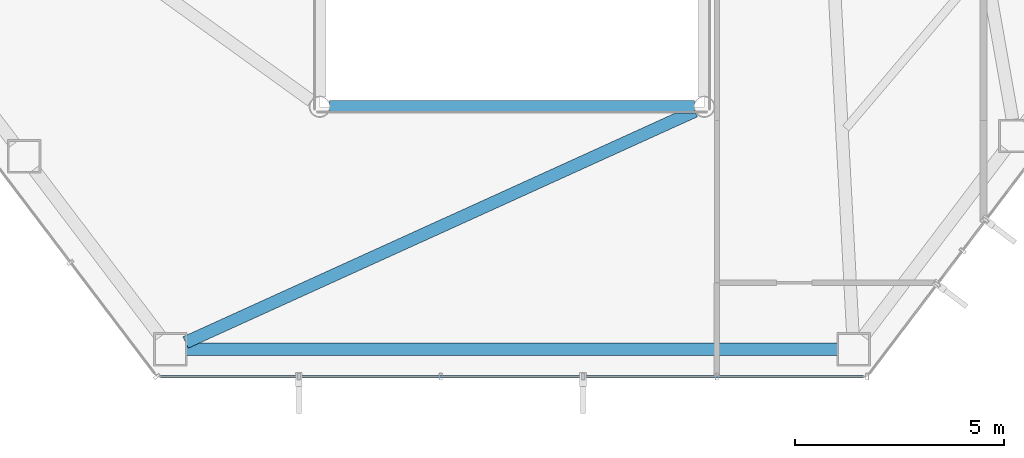
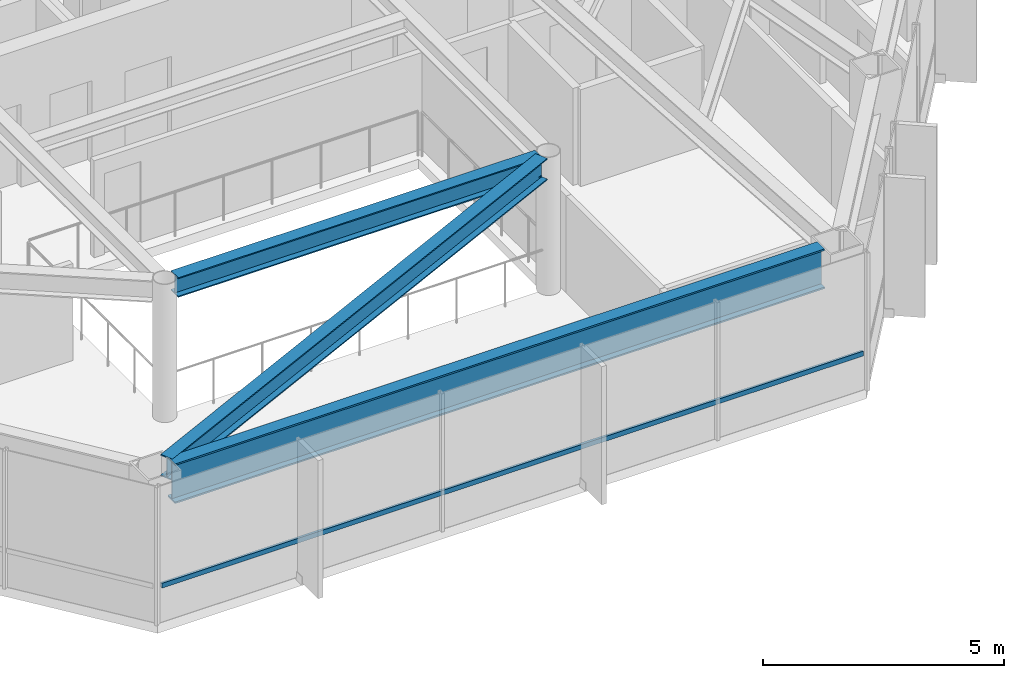
# One storey, part 7 of 29: 3 beams, 1 member, 1 element without a shape of its own.
"""IFC4 building model written with IfcOpenShell, lengths in metres."""

from ifc_helpers import new_model, si_unit, direction, frame, origin, origin_2d, place, context, subcontext, project, spatial, hollow_rectangle, i_section, extrude, material, layer, layer_set, material_profile, profile_set, type_object, element, aggregate, save


model = new_model("IFC4")

# Units and contexts
model_context = context("Model", 3, precision=1e-05, world=origin(), true_north=direction((0.0, 1.0)))
body_context = subcontext(model_context, "Body", "Model", "MODEL_VIEW")
ifc_project = project(units=[si_unit("LENGTHUNIT", "METRE"), si_unit("AREAUNIT", "SQUARE_METRE"), si_unit("VOLUMEUNIT", "CUBIC_METRE"), si_unit("PLANEANGLEUNIT", "RADIAN"), si_unit("MASSUNIT", "GRAM", prefix="KILO")], contexts=[model_context])

# Site, building, storey
site_placement = place(None, origin())
site = spatial("IfcSite", under=ifc_project, at=site_placement, CompositionType="ELEMENT")
building_placement = place(site_placement, origin())
building = spatial("IfcBuilding", under=site, at=building_placement, Name="Zarrinselat Tower", CompositionType="ELEMENT")
storey_placement = place(building_placement, frame((0.0, 0.0, 138.3798828125)))
storey = spatial("IfcBuildingStorey", under=building, at=storey_placement, Name="L33", CompositionType="ELEMENT", Elevation=138.3798828125)

# Beams
ifc_material_1 = material(Name="Steel S355J2", Category="steel")
ifc_material_profile_1 = material_profile(ifc_material_1, i_section(OverallWidth=0.300048828125, OverallDepth=0.5, WebThickness=0.014404296875, FlangeThickness=0.028076171875, at=origin_2d()), Name="HEB 500")
ifc_profile_set_1 = profile_set([ifc_material_profile_1], Name="Steel S355J2")
beam_type_1 = type_object("IfcBeamType", Name="BM-HEB500", PredefinedType="BEAM", material=ifc_profile_set_1)
beam_1_placement = place(storey_placement, frame((34.0400390625, 24.39990234375, 3.25), z_axis=(1.0, 0.0, 0.0), x_axis=(0.0, 1.0, 0.0)))
element("IfcBeam", 1, at=beam_1_placement, inside=storey, type_object=beam_type_1, Name="L33 Atrium Edge Beam S", PredefinedType="BEAM", context=body_context, shape_type="SweptSolid", body=[
    extrude(i_section(OverallWidth=0.300048828125, OverallDepth=0.5, WebThickness=0.014404296875, FlangeThickness=0.028076171875, at=origin_2d()), origin(), (0.0, 0.0, 1.0), 8.719970703125),
])
ifc_material_2 = material(Name="Steel S355J2", Category="steel")
ifc_material_profile_2 = material_profile(ifc_material_2, i_section(OverallWidth=0.300048828125, OverallDepth=0.550048828125, WebThickness=0.014892578125, FlangeThickness=0.029052734375, at=origin_2d()), Name="HEB 550")
ifc_profile_set_2 = profile_set([ifc_material_profile_2], Name="Steel S355J2")
beam_type_2 = type_object("IfcBeamType", Name="BM-HEB550", PredefinedType="BEAM", material=ifc_profile_set_2)
beam_2_placement = place(storey_placement, frame((30.592041015625, 18.76220703125, 3.22509765625), z_axis=(0.91042646234, 0.413670952172, 0.0), x_axis=(-0.413670952172, 0.91042646234, 0.0)))
element("IfcBeam", 2, at=beam_2_placement, inside=storey, type_object=beam_type_2, Name="L33 Radial Primary Girder RG10", PredefinedType="BEAM", context=body_context, shape_type="SweptSolid", body=[
    extrude(i_section(OverallWidth=0.300048828125, OverallDepth=0.550048828125, WebThickness=0.014892578125, FlangeThickness=0.029052734375, at=origin_2d()), origin(), (0.0, 0.0, 1.0), 13.37890625),
])
ifc_material_3 = material(Name="Steel S460M", Category="steel")
ifc_material_profile_3 = material_profile(ifc_material_3, i_section(OverallWidth=0.302001953125, OverallDepth=1.008056640625, WebThickness=0.02099609375, FlangeThickness=0.0400390625, at=origin_2d()), Name="HEM 1000")
ifc_profile_set_3 = profile_set([ifc_material_profile_3], Name="Steel S460M")
beam_type_3 = type_object("IfcBeamType", Name="BM-HEM1000", PredefinedType="BEAM", material=ifc_profile_set_3)
beam_3_placement = place(storey_placement, frame((30.614013671875, 18.595703125, 2.99609375), z_axis=(1.0, 0.0, 0.0), x_axis=(0.0, 1.0, 0.0)))
element("IfcBeam", 3, at=beam_3_placement, inside=storey, type_object=beam_type_3, Name="L33 Perimeter Spandrel Girder SP10", PredefinedType="BEAM", context=body_context, shape_type="SweptSolid", body=[
    extrude(i_section(OverallWidth=0.302001953125, OverallDepth=1.008056640625, WebThickness=0.02099609375, FlangeThickness=0.0400390625, at=origin_2d()), origin(), (0.0, 0.0, 1.0), 15.57177734375),
])

# Curtain wall, member
ifc_material_4 = material(Name="Extruded Aluminium Alloy EN AW-6063 T6", Category="aluminium")
ifc_layer = layer(ifc_material_4, 0.175048828125)
ifc_layer_set = layer_set([ifc_layer], Name="Extruded Aluminium Alloy EN AW-6063 T6")
curtain_wall_type = type_object("IfcCurtainWallType", Name="CWS-HTL", PredefinedType="NOTDEFINED", material=ifc_layer_set)
curtain_wall_placement = place(storey_placement, origin())
curtain_wall = element("IfcCurtainWall", 4, at=curtain_wall_placement, inside=storey, type_object=curtain_wall_type, Name="L33 Unitised Curtain Wall CW-L33-E04", PredefinedType="NOTDEFINED")
ifc_material_5 = material(Name="Extruded Aluminium Alloy EN AW-6063 T6", Category="aluminium")
ifc_material_profile_4 = material_profile(ifc_material_5, hollow_rectangle(XDim=0.06005859375, YDim=0.1201171875, WallThickness=0.00390625, at=origin_2d()), Name="RHS 120x60x4")
ifc_profile_set_4 = profile_set([ifc_material_profile_4], Name="Extruded Aluminium Alloy EN AW-6063 T6")
member_type = type_object("IfcMemberType", Name="MEM-CW-TRN2", PredefinedType="USERDEFINED", material=ifc_profile_set_4)
member_placement = place(storey_placement, frame((29.9931640625, 17.94580078125, 0.9501953125), z_axis=(1.0, 0.0, 0.0), x_axis=(0.0, 1.0, 0.0)))
member = element("IfcMember", 5, at=member_placement, type_object=member_type, Name="CW-L33-E04 Transom 1", ObjectType="TRANSOM", PredefinedType="USERDEFINED", context=body_context, shape_type="SweptSolid", body=[
    extrude(hollow_rectangle(XDim=0.06005859375, YDim=0.1201171875, WallThickness=0.00390625, at=origin_2d()), origin(), (0.0, 0.0, 1.0), 16.813720703125),
])
aggregate(curtain_wall, [member])

save(model, "model.ifc")
